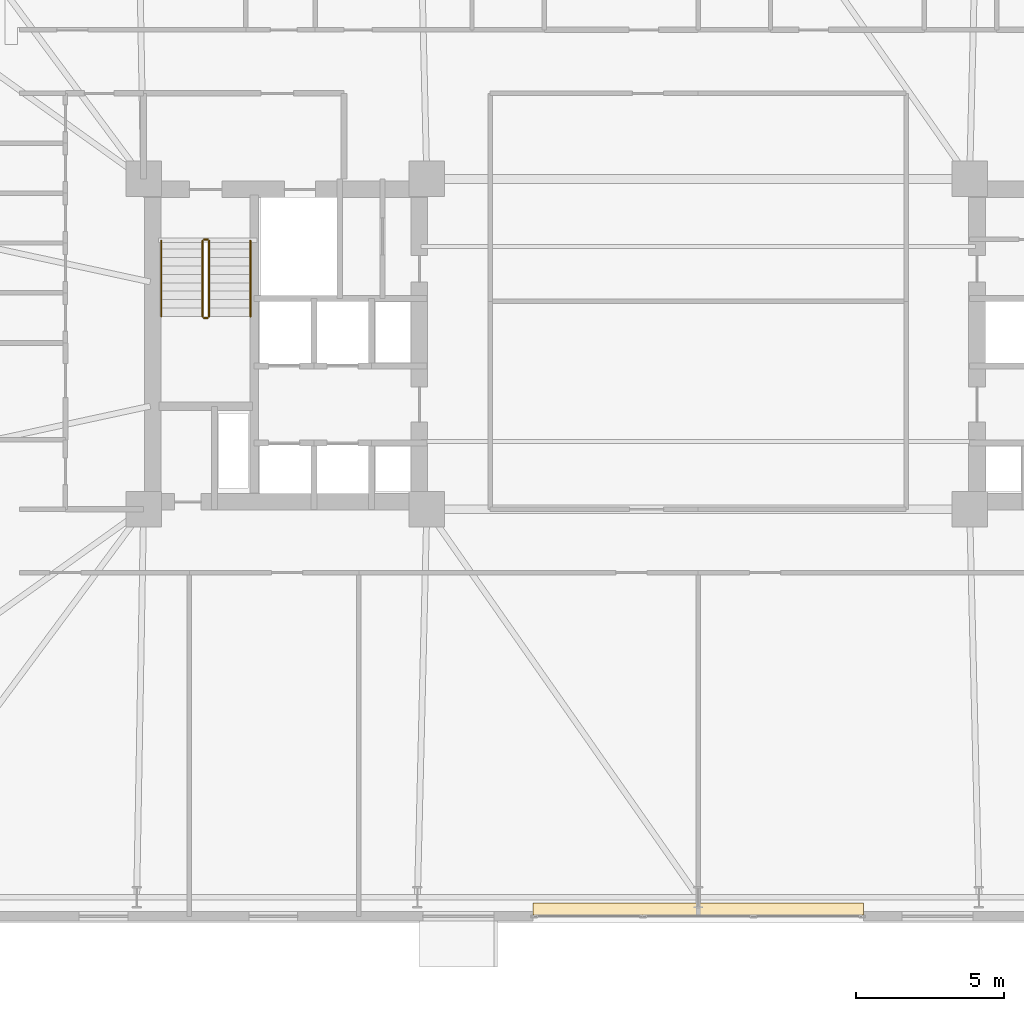
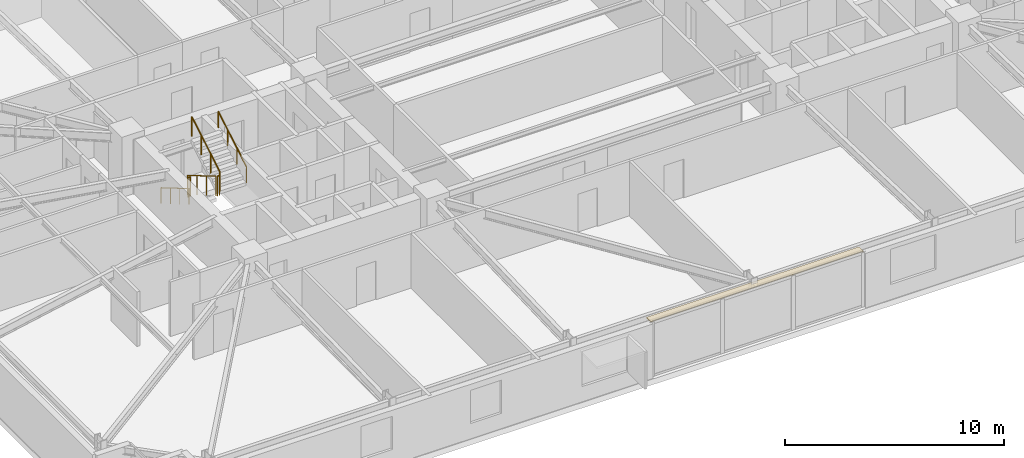
# One storey, part 24 of 26: 6 railings, 1 covering.
"""IFC4 building model written with IfcOpenShell, lengths in metres."""

import ifcopenshell
import ifcopenshell.guid

model = None  # the IFC model being written
_history = None  # IfcOwnerHistory: only IFC2X3 demands one
_inside = {}  # id of a spatial element -> (the spatial element, [elements in it])
_under = {}  # id of a project, library or spatial element -> (it, [spatial elements below it])
_declared = {}  # id of a project -> (the project, [libraries it declares])
_typed = {}  # id of a type object -> (the type object, [elements of that type])
_made_of = {}  # id of a material, layer set ... -> (it, [elements and type objects made of it])


def new_model(schema):
    """Start an empty IFC model of exactly this schema.

    Asked for "IFC4X3", IfcOpenShell would pick the latest addendum, in which some entities
    have other attributes; the version numbers below select the first issue.
    IFC2X3 requires an IfcOwnerHistory on every rooted entity: one is made here for all.
    """
    global model, _history
    if schema == "IFC4X3":
        model = ifcopenshell.file(schema_version=(4, 3, 0, 0))
    else:
        model = ifcopenshell.file(schema=schema)
    _inside.clear()
    _under.clear()
    _declared.clear()
    _typed.clear()
    _made_of.clear()
    _history = None
    if model.schema == "IFC2X3":
        org = make("IfcOrganization", Name="unknown")
        user = make(
            "IfcPersonAndOrganization",
            ThePerson=make("IfcPerson", FamilyName="unknown"),
            TheOrganization=org,
        )
        app = make(
            "IfcApplication",
            ApplicationDeveloper=org,
            Version="unknown",
            ApplicationFullName="unknown",
            ApplicationIdentifier="unknown",
        )
        _history = make(
            "IfcOwnerHistory",
            OwningUser=user,
            OwningApplication=app,
            ChangeAction="ADDED",
            CreationDate=0,
        )
    return model


def make(cls, **values):
    """One entity of the class cls with the attributes given. An attribute that is None is left unset."""
    return model.create_entity(
        cls, **{name: value for name, value in values.items() if value is not None}
    )


def rooted(cls, **values):
    """An entity with a GlobalId (a new one), such as an element, a storey or a relation."""
    return make(cls, GlobalId=ifcopenshell.guid.new(), OwnerHistory=_history, **values)


def si_unit(unit_type, name, prefix=None):
    """IfcSIUnit, for example si_unit("LENGTHUNIT", "METRE", prefix="MILLI")."""
    return make("IfcSIUnit", UnitType=unit_type, Prefix=prefix, Name=name)


def assignment(units):
    """IfcUnitAssignment: the units of a project."""
    return None if units is None else make("IfcUnitAssignment", Units=units)


def point(xyz):
    """IfcCartesianPoint."""
    return None if xyz is None else make("IfcCartesianPoint", Coordinates=xyz)


def direction(xyz):
    """IfcDirection."""
    return None if xyz is None else make("IfcDirection", DirectionRatios=xyz)


def frame(location, z_axis=None, x_axis=None):
    """IfcAxis2Placement3D, a coordinate frame: its origin and axes. An axis left out is left unset."""
    return make(
        "IfcAxis2Placement3D",
        Location=point(location),
        Axis=direction(z_axis),
        RefDirection=direction(x_axis),
    )


def frame_2d(location, x_axis=None):
    """IfcAxis2Placement2D, a coordinate frame in the plane: its origin and x axis."""
    return make(
        "IfcAxis2Placement2D", Location=point(location), RefDirection=direction(x_axis)
    )


def origin():
    """The frame at (0, 0, 0) with its axes left unset."""
    return frame((0.0, 0.0, 0.0))


def origin_2d():
    """The frame at (0, 0) in the plane with its x axis left unset."""
    return frame_2d((0.0, 0.0))


def place(relative_to, where):
    """IfcLocalPlacement: puts the frame where relative to a parent placement (None: the world)."""
    return make(
        "IfcLocalPlacement", PlacementRelTo=relative_to, RelativePlacement=where
    )


def context(
    kind, dimensions, precision=None, world=None, true_north=None, identifier=None
):
    """IfcGeometricRepresentationContext, for example the 3D "Model" context."""
    return make(
        "IfcGeometricRepresentationContext",
        ContextIdentifier=identifier,
        ContextType=kind,
        CoordinateSpaceDimension=dimensions,
        Precision=precision,
        WorldCoordinateSystem=world,
        TrueNorth=true_north,
    )


def subcontext(parent, identifier, kind, view, scale=None):
    """IfcGeometricRepresentationSubContext, for example "Body" below "Model"."""
    return make(
        "IfcGeometricRepresentationSubContext",
        ContextIdentifier=identifier,
        ContextType=kind,
        ParentContext=parent,
        TargetScale=scale,
        TargetView=view,
    )


def project(units=None, contexts=None):
    """IfcProject with its units and contexts."""
    return rooted(
        "IfcProject",
        Name="project",
        RepresentationContexts=contexts,
        UnitsInContext=assignment(units),
    )


def spatial(cls, under=None, at=None, **own):
    """A site, building, storey or space (cls), placed at a placement, below another one or the project."""
    s = rooted(cls, ObjectPlacement=at, **own)
    if under is not None:
        _under.setdefault(under.id(), (under, []))[1].append(s)
    return s


def polyline(points):
    """IfcPolyline through the points."""
    return make("IfcPolyline", Points=[point(p) for p in points])


def profile(cls, at=None, kind="AREA", **sizes):
    """A parametric profile (cls). Its sizes go by their IFC names, for example OverallWidth=200.0."""
    return make(cls, ProfileType=kind, Position=at, **sizes)


def circle(**sizes):
    """IfcCircleProfileDef."""
    return profile("IfcCircleProfileDef", **sizes)


def outline(outer, holes=None, kind="AREA"):
    """IfcArbitraryClosedProfileDef: a profile drawn as a closed curve; with holes, ...WithVoids."""
    if holes is None:
        return make("IfcArbitraryClosedProfileDef", ProfileType=kind, OuterCurve=outer)
    return make(
        "IfcArbitraryProfileDefWithVoids",
        ProfileType=kind,
        OuterCurve=outer,
        InnerCurves=holes,
    )


def extrude(swept, where, along, depth):
    """IfcExtrudedAreaSolid: the profile swept, set in the frame where, extruded along a direction by depth."""
    return make(
        "IfcExtrudedAreaSolid",
        SweptArea=swept,
        Position=where,
        ExtrudedDirection=direction(along),
        Depth=depth,
    )


def shape(context_of_items, identifier, shape_type, items):
    """IfcShapeRepresentation: the items that make up one representation, for example the "Body"."""
    return make(
        "IfcShapeRepresentation",
        ContextOfItems=context_of_items,
        RepresentationIdentifier=identifier,
        RepresentationType=shape_type,
        Items=items,
    )


def material(Name=None, Category=None):
    """IfcMaterial."""
    return make("IfcMaterial", Name=Name, Category=Category)


def layer(
    of_material, thickness, ventilated=None, Name=None, Category=None, Priority=None
):
    """IfcMaterialLayer: one layer of a wall or slab, of a material (None: an air gap)."""
    return make(
        "IfcMaterialLayer",
        Material=of_material,
        LayerThickness=thickness,
        IsVentilated=ventilated,
        Name=Name,
        Category=Category,
        Priority=Priority,
    )


def layer_set(layers, Name=None):
    """IfcMaterialLayerSet."""
    return make("IfcMaterialLayerSet", MaterialLayers=layers, LayerSetName=Name)


def made_of(thing, what):
    """Note that an element or type object is made of a material, layer set ...; save() writes the relation."""
    if what is not None:
        _made_of.setdefault(what.id(), (what, []))[1].append(thing)
    return thing


def type_object(cls, material=None, **own):
    """A type object (cls), such as IfcWallType, which elements share."""
    return made_of(rooted(cls, **own), material)


def element(
    cls,
    number,
    at=None,
    inside=None,
    cuts=None,
    type_object=None,
    material=None,
    context=None,
    identifier="Body",
    shape_type=None,
    held_by="IfcProductDefinitionShape",
    body=None,
    shapes=None,
    **own,
):
    """One element of the class cls, such as IfcWall. Its Tag is "e" and its number.

    at: its placement. inside: the storey or other place that contains it. cuts: it is an
    opening in that element (IfcRelVoidsElement). A single representation is given by context,
    identifier, shape_type and body (its items); several are given by shapes. held_by: the class
    of the entity that holds the representations. save() writes the other relations.
    """
    e = rooted(cls, Tag="e%d" % number, ObjectPlacement=at, **own)
    if body is not None:
        shapes = [shape(context, identifier, shape_type, body)]
    if shapes is not None:
        e.Representation = make(held_by, Representations=shapes)
    if inside is not None:
        _inside.setdefault(inside.id(), (inside, []))[1].append(e)
    if cuts is not None:
        rooted(
            "IfcRelVoidsElement", RelatingBuildingElement=cuts, RelatedOpeningElement=e
        )
    if type_object is not None:
        _typed.setdefault(type_object.id(), (type_object, []))[1].append(e)
    return made_of(e, material)


def aggregate(whole, parts):
    """IfcRelAggregates: a whole, such as a stair, and the parts it consists of."""
    return rooted("IfcRelAggregates", RelatingObject=whole, RelatedObjects=parts)


def save(model, path):
    """Write the relations noted so far, then the file.

    IfcRelAggregates (storeys below a building ...), IfcRelContainedInSpatialStructure (elements
    in a storey), IfcRelDefinesByType, IfcRelAssociatesMaterial and IfcRelDeclares: one each for
    every whole, place, type object, material and project.
    """
    for whole, parts in _under.values():
        aggregate(whole, parts)
    for where, things in _inside.values():
        rooted(
            "IfcRelContainedInSpatialStructure",
            RelatedElements=things,
            RelatingStructure=where,
        )
    for kind, things in _typed.values():
        rooted("IfcRelDefinesByType", RelatedObjects=things, RelatingType=kind)
    for what, things in _made_of.values():
        rooted("IfcRelAssociatesMaterial", RelatedObjects=things, RelatingMaterial=what)
    for by, libraries in _declared.values():
        rooted("IfcRelDeclares", RelatingContext=by, RelatedDefinitions=libraries)
    model.write(path)


model = new_model("IFC4")

# Units and contexts
model_context = context("Model", 3, precision=1e-05, world=origin(), true_north=direction((0.0, 1.0)))
body_context = subcontext(model_context, "Body", "Model", "MODEL_VIEW")
ifc_project = project(units=[si_unit("LENGTHUNIT", "METRE"), si_unit("AREAUNIT", "SQUARE_METRE"), si_unit("VOLUMEUNIT", "CUBIC_METRE"), si_unit("PLANEANGLEUNIT", "RADIAN"), si_unit("MASSUNIT", "GRAM", prefix="KILO")], contexts=[model_context])

# Site, building, storey
site_placement = place(None, origin())
site = spatial("IfcSite", under=ifc_project, at=site_placement, CompositionType="ELEMENT")
building_placement = place(site_placement, origin())
building = spatial("IfcBuilding", under=site, at=building_placement, Name="Qobustan Lattice House", CompositionType="ELEMENT")
storey_placement = place(building_placement, frame((0.0, 0.0, 47.10009765625)))
storey = spatial("IfcBuildingStorey", under=building, at=storey_placement, Name="L12", CompositionType="ELEMENT", Elevation=47.10009765625)

# Covering
ifc_material_1 = material(Name="Persian walnut timber lining", Category="wood")
ifc_layer = layer(ifc_material_1, 0.0380859375)
ifc_layer_set = layer_set([ifc_layer], Name="Persian walnut timber lining")
covering_type = type_object("IfcCoveringType", Name="COV-WALNUT-IWAN", PredefinedType="CLADDING", material=ifc_layer_set)
covering_placement = place(storey_placement, frame((0.0, 0.0, 2.996826171875)))
element("IfcCovering", 1, at=covering_placement, inside=storey, type_object=covering_type, Name="L12 IWAN-1 Persian walnut soffit cladding", PredefinedType="CLADDING", context=body_context, shape_type="SweptSolid", body=[
    extrude(outline(polyline([(5.60009765625, -19.35009765625), (-5.60009765625, -19.35009765625), (-5.60009765625, -18.949951171875), (5.60009765625, -18.949951171875), (5.60009765625, -19.35009765625)])), origin(), (0.0, 0.0, 1.0), 0.0380859375),
])

# Railings
ifc_material_2 = material(Name="Brushed stainless steel handrail", Category="steel")
railing_type_1 = type_object("IfcRailingType", Name="RAL-HR-920", PredefinedType="HANDRAIL", material=ifc_material_2)
railing_1_placement = place(storey_placement, frame((-18.199951171875, 3.5, 0.16748046875)))
element("IfcRailing", 2, at=railing_1_placement, inside=storey, type_object=railing_type_1, Name="L12 ST-W1 stair handrail 1", PredefinedType="HANDRAIL", context=body_context, shape_type="SweptSolid", body=[
    extrude(circle(Radius=0.02392578125, at=origin_2d()), frame((0.0, 0.0, 0.8759765625), z_axis=(0.0, -0.862149314443, 0.506654280161), x_axis=(1.0, 0.0, 0.0)), (0.0, 0.0, 1.0), 2.97509765625),
    extrude(circle(Radius=0.02099609375, at=origin_2d()), origin(), (0.0, 0.0, 1.0), 0.851806640625),
    extrude(circle(Radius=0.02099609375, at=origin_2d()), frame((0.0, -0.85498046875, 0.50244140625)), (0.0, 0.0, 1.0), 0.851806640625),
    extrude(circle(Radius=0.02099609375, at=origin_2d()), frame((0.0, -1.7099609375, 1.0048828125)), (0.0, 0.0, 1.0), 0.851806640625),
    extrude(circle(Radius=0.02099609375, at=origin_2d()), frame((0.0, -2.56494140625, 1.50732421875)), (0.0, 0.0, 1.0), 0.851806640625),
])
railing_2_placement = place(storey_placement, frame((-15.179931640625, 0.93505859375, 1.84228515625)))
element("IfcRailing", 3, at=railing_2_placement, inside=storey, type_object=railing_type_1, Name="L12 ST-W1 stair handrail 2", PredefinedType="HANDRAIL", context=body_context, shape_type="SweptSolid", body=[
    extrude(circle(Radius=0.02392578125, at=origin_2d()), frame((0.0, 0.0, 0.8759765625), z_axis=(0.0, 0.862113467892, 0.50671527358), x_axis=(-1.0, 0.0, 0.0)), (0.0, 0.0, 1.0), 2.97509765625),
    extrude(circle(Radius=0.02099609375, at=origin_2d()), origin(), (0.0, 0.0, 1.0), 0.851806640625),
    extrude(circle(Radius=0.02099609375, at=origin_2d()), frame((0.0, 0.85498046875, 0.50244140625)), (0.0, 0.0, 1.0), 0.851806640625),
    extrude(circle(Radius=0.02099609375, at=origin_2d()), frame((0.0, 1.7099609375, 1.005126953125)), (0.0, 0.0, 1.0), 0.851806640625),
    extrude(circle(Radius=0.02099609375, at=origin_2d()), frame((0.0, 2.56494140625, 1.507568359375)), (0.0, 0.0, 1.0), 0.851806640625),
])
ifc_material_3 = material(Name="Painted galvanized steel guardrail", Category="steel")
railing_type_2 = type_object("IfcRailingType", Name="RAL-STG-1150", PredefinedType="GUARDRAIL", material=ifc_material_3)
railing_3_placement = place(storey_placement, frame((-16.800048828125, 3.5, 0.16748046875)))
element("IfcRailing", 4, at=railing_3_placement, inside=storey, type_object=railing_type_2, Name="L12 ST-W1 stair guard 1", PredefinedType="GUARDRAIL", context=body_context, shape_type="SweptSolid", body=[
    extrude(circle(Radius=0.02392578125, at=origin_2d()), frame((0.0, 0.0, 1.076171875), z_axis=(0.0, -0.862149314443, 0.506654280161), x_axis=(1.0, 0.0, 0.0)), (0.0, 0.0, 1.0), 2.97509765625),
    extrude(circle(Radius=0.02099609375, at=origin_2d()), origin(), (0.0, 0.0, 1.0), 1.052001953125),
    extrude(circle(Radius=0.02099609375, at=origin_2d()), frame((0.0, -0.85498046875, 0.50244140625)), (0.0, 0.0, 1.0), 1.052001953125),
    extrude(circle(Radius=0.02099609375, at=origin_2d()), frame((0.0, -1.7099609375, 1.0048828125)), (0.0, 0.0, 1.0), 1.052001953125),
    extrude(circle(Radius=0.02099609375, at=origin_2d()), frame((0.0, -2.56494140625, 1.50732421875)), (0.0, 0.0, 1.0), 1.052001953125),
])
railing_4_placement = place(storey_placement, frame((-16.75, 0.885009765625, 1.6748046875)))
element("IfcRailing", 5, at=railing_4_placement, inside=storey, type_object=railing_type_2, Name="L12 ST-W1 stair guard 2", PredefinedType="GUARDRAIL", context=body_context, shape_type="SweptSolid", body=[
    extrude(circle(Radius=0.02392578125, at=origin_2d()), frame((0.0, 0.0, 1.076171875), z_axis=(1.0, 0.0, 0.0), x_axis=(0.0, 1.0, 0.0)), (0.0, 0.0, 1.0), 0.1201171875),
    extrude(circle(Radius=0.02099609375, at=origin_2d()), origin(), (0.0, 0.0, 1.0), 1.052001953125),
    extrude(circle(Radius=0.02099609375, at=origin_2d()), frame((0.1201171875, 0.0, 0.0)), (0.0, 0.0, 1.0), 1.052001953125),
])
railing_5_placement = place(storey_placement, frame((-16.580078125, 0.93505859375, 1.84228515625)))
element("IfcRailing", 6, at=railing_5_placement, inside=storey, type_object=railing_type_2, Name="L12 ST-W1 stair guard 3", PredefinedType="GUARDRAIL", context=body_context, shape_type="SweptSolid", body=[
    extrude(circle(Radius=0.02392578125, at=origin_2d()), frame((0.0, 0.0, 1.076171875), z_axis=(0.0, 0.862113467892, 0.50671527358), x_axis=(-1.0, 0.0, 0.0)), (0.0, 0.0, 1.0), 2.97509765625),
    extrude(circle(Radius=0.02099609375, at=origin_2d()), origin(), (0.0, 0.0, 1.0), 1.052001953125),
    extrude(circle(Radius=0.02099609375, at=origin_2d()), frame((0.0, 0.85498046875, 0.50244140625)), (0.0, 0.0, 1.0), 1.052001953125),
    extrude(circle(Radius=0.02099609375, at=origin_2d()), frame((0.0, 1.7099609375, 1.005126953125)), (0.0, 0.0, 1.0), 1.052001953125),
    extrude(circle(Radius=0.02099609375, at=origin_2d()), frame((0.0, 2.56494140625, 1.507568359375)), (0.0, 0.0, 1.0), 1.052001953125),
])
railing_6_placement = place(storey_placement, frame((-16.75, 3.550048828125, 0.0)))
element("IfcRailing", 7, at=railing_6_placement, inside=storey, type_object=railing_type_2, Name="L12 ST-W1 stair guard 4", PredefinedType="GUARDRAIL", context=body_context, shape_type="SweptSolid", body=[
    extrude(circle(Radius=0.02392578125, at=origin_2d()), frame((0.0, 0.0, 1.076171875), z_axis=(1.0, 0.0, 0.0), x_axis=(0.0, 1.0, 0.0)), (0.0, 0.0, 1.0), 0.1201171875),
    extrude(circle(Radius=0.02099609375, at=origin_2d()), origin(), (0.0, 0.0, 1.0), 1.052001953125),
    extrude(circle(Radius=0.02099609375, at=origin_2d()), frame((0.1201171875, 0.0, 0.0)), (0.0, 0.0, 1.0), 1.052001953125),
])

save(model, "model.ifc")
